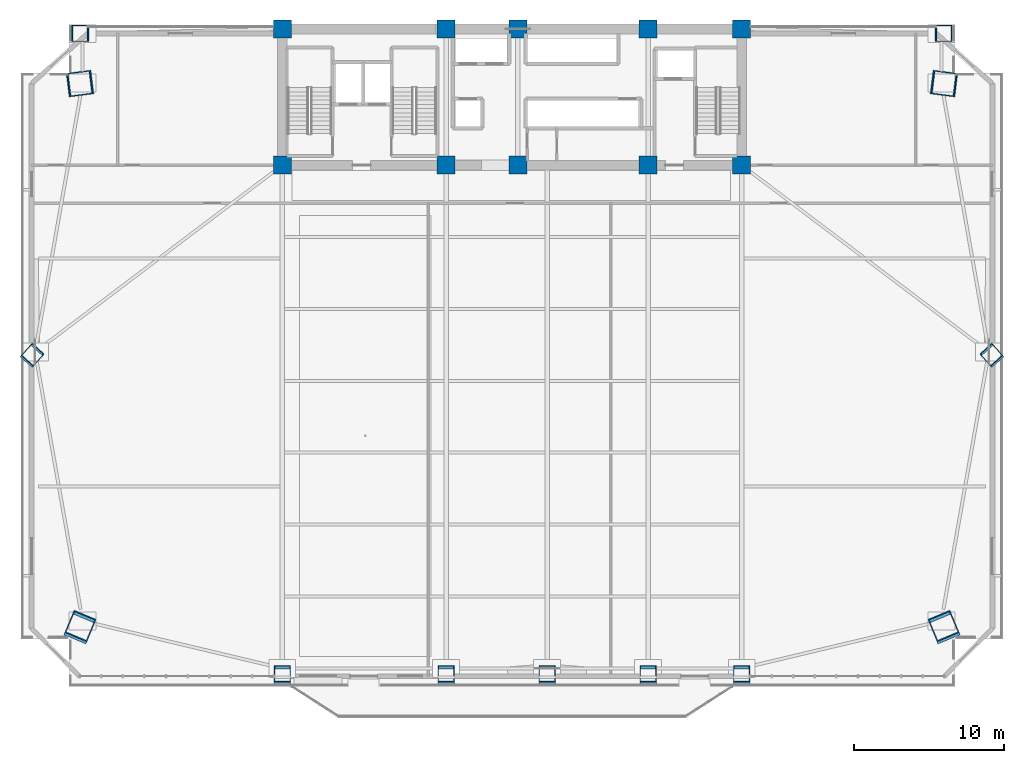
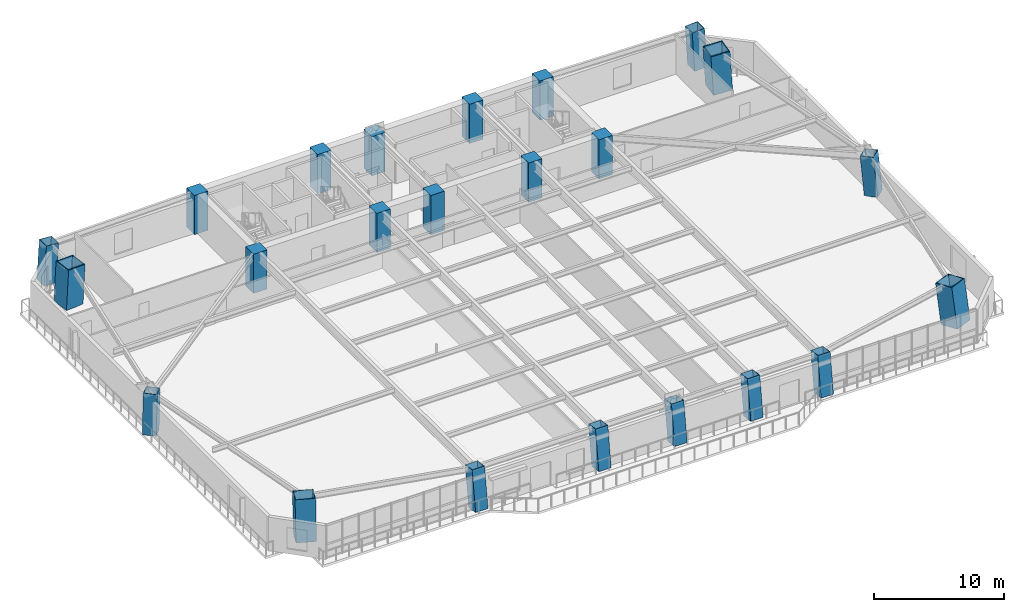
# One storey, part 1 of 17: 23 columns.
"""IFC4 building model written with IfcOpenShell, lengths in metres."""

from ifc_helpers import new_model, si_unit, direction, frame, origin, origin_2d, place, context, subcontext, project, spatial, rectangle, hollow_rectangle, extrude, source, transform, mapped, material, material_profile, profile_set, type_object, element, save


model = new_model("IFC4")

# Units and contexts
model_context = context("Model", 3, precision=1e-05, world=origin(), true_north=direction((0.0, 1.0)))
body_context = subcontext(model_context, "Body", "Model", "MODEL_VIEW")
ifc_project = project(units=[si_unit("LENGTHUNIT", "METRE"), si_unit("AREAUNIT", "SQUARE_METRE"), si_unit("VOLUMEUNIT", "CUBIC_METRE"), si_unit("PLANEANGLEUNIT", "RADIAN"), si_unit("MASSUNIT", "GRAM", prefix="KILO")], contexts=[model_context])

# Site, building, storey
site_placement = place(None, origin())
site = spatial("IfcSite", under=ifc_project, at=site_placement, CompositionType="ELEMENT")
building_placement = place(site_placement, origin())
building = spatial("IfcBuilding", under=site, at=building_placement, Name="Giltprow Tower", CompositionType="ELEMENT")
storey_placement = place(building_placement, frame((0.0, 0.0, 33.199951171875)))
storey = spatial("IfcBuildingStorey", under=building, at=storey_placement, Name="L08", CompositionType="ELEMENT", Elevation=33.199951171875)

# Columns
ifc_material_1 = material(Name="Concrete C60", Category="concrete")
ifc_material_profile_1 = material_profile(ifc_material_1, rectangle(XDim=1.199951171875, YDim=1.199951171875, at=origin_2d()), Name="RC 1200x1200")
ifc_profile_set_1 = profile_set([ifc_material_profile_1], Name="Concrete C60")
column_type_1 = type_object("IfcColumnType", Name="PIL-RC-1200-C60", PredefinedType="PILASTER", material=ifc_profile_set_1)
shared_shape_1 = source(origin(), body_context, "Body", "SweptSolid", [
    extrude(rectangle(XDim=1.199951171875, YDim=1.199951171875, at=origin_2d()), origin(), (0.0, 0.0, 1.0), 3.679931640625),
])
for number, where, z_axis, x_axis, name in (
    (1, (19.85009765625, 37.449951171875, 0.0), (0.0, 0.0, 1.0), (1.0, 0.0, 0.0), "L08 Core Boundary Pilaster 1-1"),
    (2, (19.85009765625, 46.550048828125, 0.0), (0.0, 0.0, 1.0), (1.0, 0.0, 0.0), "L08 Core Boundary Pilaster 1-2"),
    (3, (30.800048828125, 37.449951171875, 0.0), (0.0, 0.0, 1.0), (1.0, 0.0, 0.0), "L08 Core Boundary Pilaster 2-1"),
    (4, (30.800048828125, 46.550048828125, 0.0), (0.0, 0.0, 1.0), (1.0, 0.0, 0.0), "L08 Core Boundary Pilaster 2-2"),
    (5, (35.60009765625, 37.449951171875, 0.0), (0.0, 0.0, 1.0), (1.0, 0.0, 0.0), "L08 Core Boundary Pilaster 3-1"),
    (6, (35.60009765625, 46.550048828125, 0.0), (0.0, 0.0, 1.0), (1.0, 0.0, 0.0), "L08 Core Boundary Pilaster 3-2"),
    (7, (44.300048828125, 37.449951171875, 0.0), (0.0, 0.0, 1.0), (1.0, 0.0, 0.0), "L08 Core Boundary Pilaster 4-1"),
    (8, (44.300048828125, 46.550048828125, 0.0), (0.0, 0.0, 1.0), (1.0, 0.0, 0.0), "L08 Core Boundary Pilaster 4-2"),
    (9, (50.550048828125, 37.449951171875, 0.0), (0.0, 0.0, 1.0), (1.0, 0.0, 0.0), "L08 Core Boundary Pilaster 5-1"),
    (10, (50.550048828125, 46.550048828125, 0.0), (0.0, 0.0, 1.0), (1.0, 0.0, 0.0), "L08 Core Boundary Pilaster 5-2"),
):
    element("IfcColumn", number, at=place(storey_placement, frame(where, z_axis=z_axis, x_axis=x_axis)), inside=storey, type_object=column_type_1, Name=name, PredefinedType="PILASTER", context=body_context, shape_type="MappedRepresentation", body=[
        mapped(shared_shape_1, transform((0.0, 0.0, 0.0), x_axis=(1.0, 0.0, 0.0), y_axis=(0.0, 1.0, 0.0), z_axis=(0.0, 0.0, 1.0), scale=1.0)),
    ])
ifc_material_2 = material(Name="Structural steel Q420GJC", Category="steel")
ifc_material_profile_2 = material_profile(ifc_material_2, hollow_rectangle(XDim=1.60009765625, YDim=1.60009765625, WallThickness=0.074951171875, at=origin_2d()), Name="BOX 1600x1600x75")
ifc_profile_set_2 = profile_set([ifc_material_profile_2], Name="Structural steel Q420GJC")
column_type_2 = type_object("IfcColumnType", Name="COL-BOX-1600x1600x75", PredefinedType="COLUMN", material=ifc_profile_set_2)
shared_shape_2 = source(origin(), body_context, "Body", "SweptSolid", [
    extrude(hollow_rectangle(XDim=1.60009765625, YDim=1.60009765625, WallThickness=0.074951171875, at=origin_2d()), origin(), (0.0, 0.0, 1.0), 3.7197265625),
])
for number, where, z_axis, x_axis, name in (
    (11, (6.300048828125, 6.5, 0.0), (0.056182353256, 0.134680127199, 0.989295105881), (-0.922917163749, 0.384998582929, 0.0), "L08 Mega-Column MC_SW"),
    (12, (64.10009765625, 6.5, 0.0), (-0.056182353256, 0.134680127199, 0.989295105881), (-0.922917163749, -0.384998582929, 0.0), "L08 Mega-Column MC_SE"),
):
    element("IfcColumn", number, at=place(storey_placement, frame(where, z_axis=z_axis, x_axis=x_axis)), inside=storey, type_object=column_type_2, Name=name, PredefinedType="COLUMN", context=body_context, shape_type="MappedRepresentation", body=[
        mapped(shared_shape_2, transform((0.0, 0.0, 0.0), x_axis=(1.0, 0.0, 0.0), y_axis=(0.0, 1.0, 0.0), z_axis=(0.0, 0.0, 1.0), scale=1.0)),
    ])
shared_shape_3 = source(origin(), body_context, "Body", "SweptSolid", [
    extrude(hollow_rectangle(XDim=1.60009765625, YDim=1.60009765625, WallThickness=0.074951171875, at=origin_2d()), origin(), (0.0, 0.0, 1.0), 3.68603515625),
])
for number, where, z_axis, x_axis, name in (
    (13, (6.300048828125, 42.89990234375, 0.0), (0.056697506007, 0.007087188251, 0.998366247714), (-0.124034734589, 0.992277876714, 0.0), "L08 Mega-Column MC_NW"),
    (14, (64.10009765625, 42.89990234375, 0.0), (-0.056697506007, 0.007087188251, 0.998366247714), (-0.124034734589, -0.992277876714, 0.0), "L08 Mega-Column MC_NE"),
):
    element("IfcColumn", number, at=place(storey_placement, frame(where, z_axis=z_axis, x_axis=x_axis)), inside=storey, type_object=column_type_2, Name=name, PredefinedType="COLUMN", context=body_context, shape_type="MappedRepresentation", body=[
        mapped(shared_shape_3, transform((0.0, 0.0, 0.0), x_axis=(1.0, 0.0, 0.0), y_axis=(0.0, 1.0, 0.0), z_axis=(0.0, 0.0, 1.0), scale=1.0)),
    ])
ifc_material_profile_3 = material_profile(ifc_material_2, hollow_rectangle(XDim=1.10009765625, YDim=1.10009765625, WallThickness=0.050048828125, at=origin_2d()), Name="BOX 1100x1100x50")
ifc_profile_set_3 = profile_set([ifc_material_profile_3], Name="Structural steel Q420GJC")
column_type_3 = type_object("IfcColumnType", Name="COL-BOX-1100x1100x50", PredefinedType="COLUMN", material=ifc_profile_set_3)
shared_shape_4 = source(origin(), body_context, "Body", "SweptSolid", [
    extrude(hollow_rectangle(XDim=1.10009765625, YDim=1.10009765625, WallThickness=0.050048828125, at=origin_2d()), origin(), (0.0, 0.0, 1.0), 3.717529296875),
])
for number, where, z_axis, x_axis, name in (
    (15, (19.85009765625, 3.300048828125, 0.0), (0.0, 0.141724764057, 0.98990610224), (-1.0, 0.0, 0.0), "L08 Perimeter Column S1"),
    (16, (30.800048828125, 3.300048828125, 0.0), (0.0, 0.141724764057, 0.98990610224), (-1.0, 0.0, 0.0), "L08 Perimeter Column S2"),
    (17, (37.550048828125, 3.300048828125, 0.0), (0.0, 0.141724764057, 0.98990610224), (-1.0, 0.0, 0.0), "L08 Perimeter Column S_MID"),
    (18, (44.300048828125, 3.300048828125, 0.0), (0.0, 0.141724764057, 0.98990610224), (-1.0, 0.0, 0.0), "L08 Perimeter Column S3"),
    (19, (50.550048828125, 3.300048828125, 0.0), (0.0, 0.141724764057, 0.98990610224), (-1.0, 0.0, 0.0), "L08 Perimeter Column S4"),
):
    element("IfcColumn", number, at=place(storey_placement, frame(where, z_axis=z_axis, x_axis=x_axis)), inside=storey, type_object=column_type_3, Name=name, PredefinedType="COLUMN", context=body_context, shape_type="MappedRepresentation", body=[
        mapped(shared_shape_4, transform((0.0, 0.0, 0.0), x_axis=(1.0, 0.0, 0.0), y_axis=(0.0, 1.0, 0.0), z_axis=(0.0, 0.0, 1.0), scale=1.0)),
    ])
shared_shape_5 = source(origin(), body_context, "Body", "SweptSolid", [
    extrude(hollow_rectangle(XDim=1.10009765625, YDim=1.10009765625, WallThickness=0.050048828125, at=origin_2d()), origin(), (0.0, 0.0, 1.0), 3.69677734375),
])
for number, where, z_axis, x_axis, name in (
    (20, (3.10009765625, 24.699951171875, 0.0), (0.063531823494, 0.071126584099, 0.995441970402), (-0.745802491979, 0.666167128398, 0.0), "L08 Perimeter Column W_MID"),
    (21, (67.300048828125, 24.699951171875, 0.0), (-0.063597597914, 0.071126285518, 0.995437791651), (-0.745458506367, -0.666552034941, 0.0), "L08 Perimeter Column E_MID"),
):
    element("IfcColumn", number, at=place(storey_placement, frame(where, z_axis=z_axis, x_axis=x_axis)), inside=storey, type_object=column_type_3, Name=name, PredefinedType="COLUMN", context=body_context, shape_type="MappedRepresentation", body=[
        mapped(shared_shape_5, transform((0.0, 0.0, 0.0), x_axis=(1.0, 0.0, 0.0), y_axis=(0.0, 1.0, 0.0), z_axis=(0.0, 0.0, 1.0), scale=1.0)),
    ])
shared_shape_6 = source(origin(), body_context, "Body", "SweptSolid", [
    extrude(hollow_rectangle(XDim=1.10009765625, YDim=1.10009765625, WallThickness=0.050048828125, at=origin_2d()), origin(), (0.0, 0.0, 1.0), 3.685791015625),
])
for number, where, z_axis, x_axis, name in (
    (22, (6.300048828125, 46.25, 0.0), (0.056698929969, 0.0, 0.998391321747), (0.0, 1.0, 0.0), "L08 Perimeter Column N_W"),
    (23, (64.10009765625, 46.25, 0.0), (-0.056698929969, 0.0, 0.998391321747), (0.0, -1.0, 0.0), "L08 Perimeter Column N_E"),
):
    element("IfcColumn", number, at=place(storey_placement, frame(where, z_axis=z_axis, x_axis=x_axis)), inside=storey, type_object=column_type_3, Name=name, PredefinedType="COLUMN", context=body_context, shape_type="MappedRepresentation", body=[
        mapped(shared_shape_6, transform((0.0, 0.0, 0.0), x_axis=(1.0, 0.0, 0.0), y_axis=(0.0, 1.0, 0.0), z_axis=(0.0, 0.0, 1.0), scale=1.0)),
    ])

save(model, "model.ifc")
